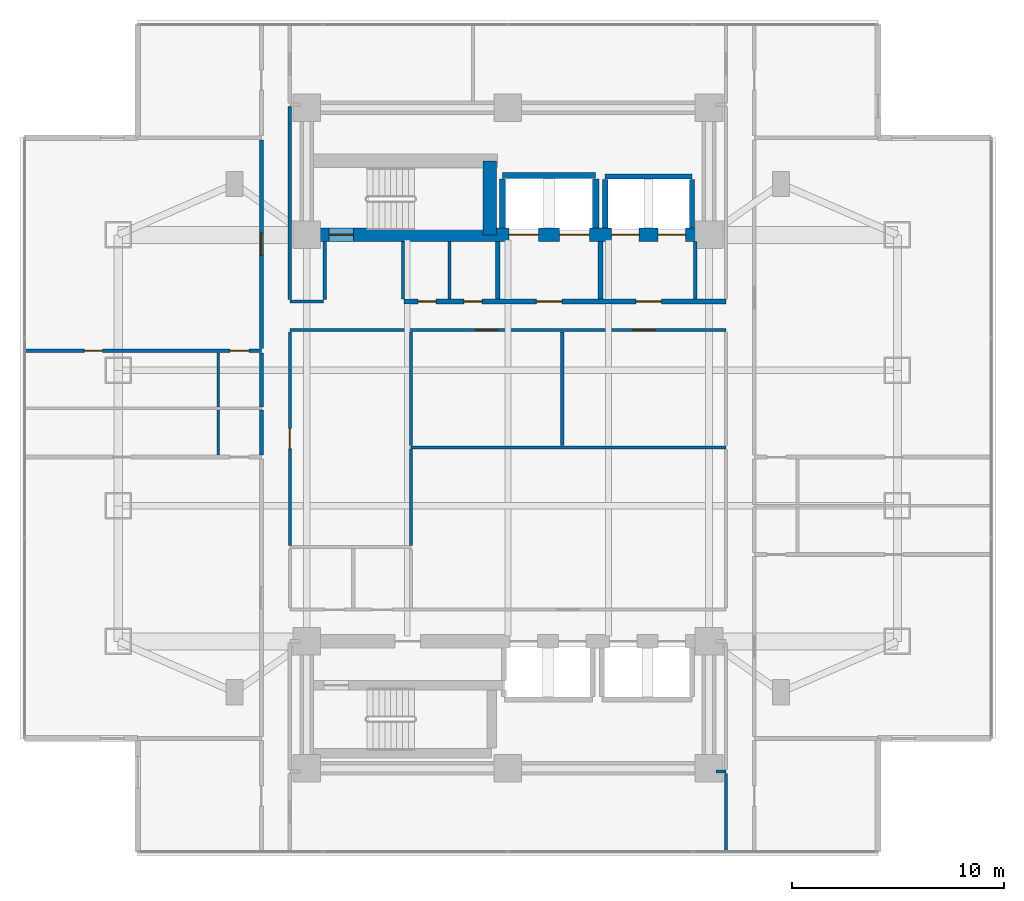
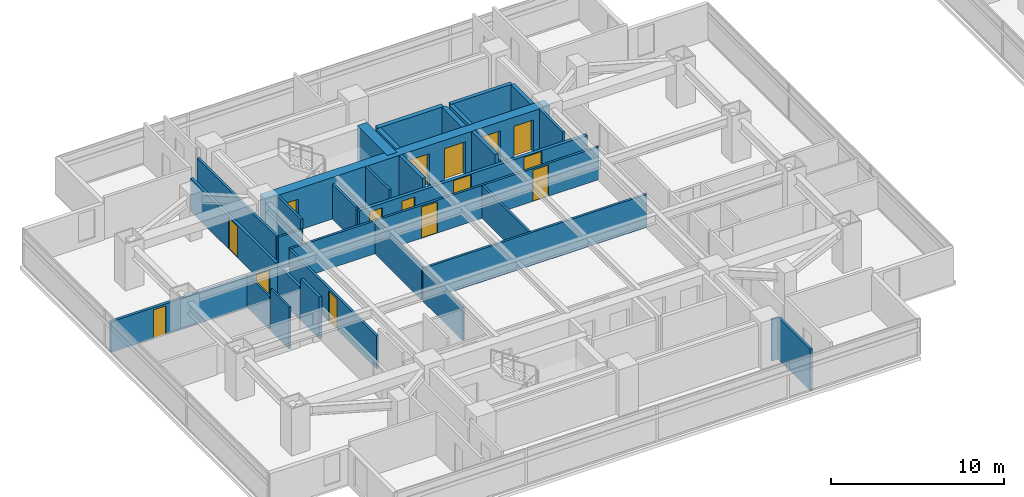
# One storey, part 15 of 26: 31 walls, 15 doors, 15 openings.
"""IFC4 building model written with IfcOpenShell, lengths in metres."""

from ifc_helpers import new_model, si_unit, direction, frame, frame_2d, origin, place, context, subcontext, project, spatial, rectangle, extrude, material, layer, layer_set, type_object, element, fill, save


model = new_model("IFC4")

# Units and contexts
model_context = context("Model", 3, precision=1e-05, world=origin(), true_north=direction((0.0, 1.0)))
body_context = subcontext(model_context, "Body", "Model", "MODEL_VIEW")
ifc_project = project(units=[si_unit("LENGTHUNIT", "METRE"), si_unit("AREAUNIT", "SQUARE_METRE"), si_unit("VOLUMEUNIT", "CUBIC_METRE"), si_unit("PLANEANGLEUNIT", "RADIAN"), si_unit("MASSUNIT", "GRAM", prefix="KILO")], contexts=[model_context])

# Site, building, storey
site_placement = place(None, origin())
site = spatial("IfcSite", under=ifc_project, at=site_placement, CompositionType="ELEMENT")
building_placement = place(site_placement, origin())
building = spatial("IfcBuilding", under=site, at=building_placement, Name="Mirazonda Arch Towers", CompositionType="ELEMENT")
storey_placement = place(building_placement, frame((0.0, 0.0, 78.5)))
storey = spatial("IfcBuildingStorey", under=building, at=storey_placement, Name="L22", CompositionType="ELEMENT", Elevation=78.5)

# Wall, openings, doors
ifc_material_1 = material(Name="Concrete C60/75", Category="concrete")
ifc_layer_1 = layer(ifc_material_1, 0.64990234375, Name="WALL-CORE-650")
ifc_layer_set_1 = layer_set([ifc_layer_1], Name="Concrete C60/75")
wall_type_1 = type_object("IfcWallType", Name="WALL-CORE-650", PredefinedType="SHEAR", material=ifc_layer_set_1)
wall_1_placement = place(storey_placement, frame((11.0, 37.60009765625, 0.0), z_axis=(0.0, 0.0, 1.0), x_axis=(1.0, 0.0, 0.0)))
wall_1 = element("IfcWall", 1, at=wall_1_placement, inside=storey, type_object=wall_type_1, Name="L22 T1N-S Core Shear Wall", PredefinedType="SHEAR", context=body_context, shape_type="SweptSolid", body=[
    extrude(rectangle(XDim=19.0, YDim=0.64990234375, at=frame_2d((9.5, 0.0))), origin(), (0.0, 0.0, 1.0), 2.93994140625),
])
opening_1_placement = place(wall_1_placement, frame((1.06005859375, 0.0, 0.0)))
opening_1 = element("IfcOpeningElement", 2, at=opening_1_placement, cuts=wall_1, Name="Opening DR-135", PredefinedType="OPENING", context=body_context, shape_type="SweptSolid", body=[
    extrude(rectangle(XDim=1.14990234375, YDim=2.199951171875, at=frame_2d((0.574951171875, 1.10009765625))), frame((0.0, 0.3349609375, 0.0), z_axis=(0.0, -1.0, 0.0), x_axis=(1.0, 0.0, 0.0)), (0.0, 0.0, 1.0), 0.669921875),
])
opening_2_placement = place(wall_1_placement, frame((9.550048828125, 0.0, 0.0)))
opening_2 = element("IfcOpeningElement", 3, at=opening_2_placement, cuts=wall_1, Name="Opening LD-112", PredefinedType="OPENING", context=body_context, shape_type="SweptSolid", body=[
    extrude(rectangle(XDim=1.39990234375, YDim=2.35009765625, at=frame_2d((0.699951171875, 1.175048828125))), frame((0.0, 0.3349609375, 0.0), z_axis=(0.0, -1.0, 0.0), x_axis=(1.0, 0.0, 0.0)), (0.0, 0.0, 1.0), 0.669921875),
])
opening_3_placement = place(wall_1_placement, frame((11.949951171875, 0.0, 0.0)))
opening_3 = element("IfcOpeningElement", 4, at=opening_3_placement, cuts=wall_1, Name="Opening LD-112", PredefinedType="OPENING", context=body_context, shape_type="SweptSolid", body=[
    extrude(rectangle(XDim=1.39990234375, YDim=2.35009765625, at=frame_2d((0.699951171875, 1.175048828125))), frame((0.0, 0.3349609375, 0.0), z_axis=(0.0, -1.0, 0.0), x_axis=(1.0, 0.0, 0.0)), (0.0, 0.0, 1.0), 0.669921875),
])
opening_4_placement = place(wall_1_placement, frame((14.39990234375, 0.0, 0.0)))
opening_4 = element("IfcOpeningElement", 5, at=opening_4_placement, cuts=wall_1, Name="Opening LD-111", PredefinedType="OPENING", context=body_context, shape_type="SweptSolid", body=[
    extrude(rectangle(XDim=1.300048828125, YDim=2.300048828125, at=frame_2d((0.64990234375, 1.14990234375))), frame((0.0, 0.3349609375, 0.0), z_axis=(0.0, -1.0, 0.0), x_axis=(1.0, 0.0, 0.0)), (0.0, 0.0, 1.0), 0.669921875),
])
opening_5_placement = place(wall_1_placement, frame((16.60009765625, 0.0, 0.0)))
opening_5 = element("IfcOpeningElement", 6, at=opening_5_placement, cuts=wall_1, Name="Opening LD-111", PredefinedType="OPENING", context=body_context, shape_type="SweptSolid", body=[
    extrude(rectangle(XDim=1.300048828125, YDim=2.300048828125, at=frame_2d((0.64990234375, 1.14990234375))), frame((0.0, 0.3349609375, 0.0), z_axis=(0.0, -1.0, 0.0), x_axis=(1.0, 0.0, 0.0)), (0.0, 0.0, 1.0), 0.669921875),
])
ifc_material_2 = material(Name="Architectural Brushed Steel S355", Category="steel")
door_type_1 = type_object("IfcDoorType", Name="DOOR-LIFT-FFL-1400", OperationType="NOTDEFINED", PredefinedType="DOOR", material=ifc_material_2)
door_1_placement = place(opening_2_placement, origin())
door_1 = element("IfcDoor", 7, at=door_1_placement, inside=storey, type_object=door_type_1, Name="L22 Lift Landing Sliding Door FFL-T1", OperationType="DOUBLE_DOOR_SLIDING", OverallHeight=2.35009765625, OverallWidth=1.39990234375, PredefinedType="DOOR", context=body_context, shape_type="SweptSolid", body=[
    extrude(rectangle(XDim=1.39990234375, YDim=2.35009765625, at=frame_2d((0.699951171875, 1.175048828125))), frame((0.0, 0.02490234375, 0.0), z_axis=(0.0, -1.0, 0.0), x_axis=(1.0, 0.0, 0.0)), (0.0, 0.0, 1.0), 0.050048828125),
])
fill(opening_2, door_1)
door_2_placement = place(opening_3_placement, origin())
door_2 = element("IfcDoor", 8, at=door_2_placement, inside=storey, type_object=door_type_1, Name="L22 Lift Landing Sliding Door SVL-T1", OperationType="DOUBLE_DOOR_SLIDING", OverallHeight=2.35009765625, OverallWidth=1.39990234375, PredefinedType="DOOR", context=body_context, shape_type="SweptSolid", body=[
    extrude(rectangle(XDim=1.39990234375, YDim=2.35009765625, at=frame_2d((0.699951171875, 1.175048828125))), frame((0.0, 0.02490234375, 0.0), z_axis=(0.0, -1.0, 0.0), x_axis=(1.0, 0.0, 0.0)), (0.0, 0.0, 1.0), 0.050048828125),
])
fill(opening_3, door_2)
door_type_2 = type_object("IfcDoorType", Name="DOOR-LIFT-LAND-1300", OperationType="NOTDEFINED", PredefinedType="DOOR", material=ifc_material_2)
door_3_placement = place(opening_4_placement, origin())
door_3 = element("IfcDoor", 9, at=door_3_placement, inside=storey, type_object=door_type_2, Name="L22 Lift Landing Sliding Door PL-T1L1", OperationType="DOUBLE_DOOR_SLIDING", OverallHeight=2.300048828125, OverallWidth=1.300048828125, PredefinedType="DOOR", context=body_context, shape_type="SweptSolid", body=[
    extrude(rectangle(XDim=1.300048828125, YDim=2.300048828125, at=frame_2d((0.64990234375, 1.14990234375))), frame((0.0, 0.02490234375, 0.0), z_axis=(0.0, -1.0, 0.0), x_axis=(1.0, 0.0, 0.0)), (0.0, 0.0, 1.0), 0.050048828125),
])
fill(opening_4, door_3)
door_4_placement = place(opening_5_placement, origin())
door_4 = element("IfcDoor", 10, at=door_4_placement, inside=storey, type_object=door_type_2, Name="L22 Lift Landing Sliding Door PL-T1L2", OperationType="DOUBLE_DOOR_SLIDING", OverallHeight=2.300048828125, OverallWidth=1.300048828125, PredefinedType="DOOR", context=body_context, shape_type="SweptSolid", body=[
    extrude(rectangle(XDim=1.300048828125, YDim=2.300048828125, at=frame_2d((0.64990234375, 1.14990234375))), frame((0.0, 0.02490234375, 0.0), z_axis=(0.0, -1.0, 0.0), x_axis=(1.0, 0.0, 0.0)), (0.0, 0.0, 1.0), 0.050048828125),
])
fill(opening_5, door_4)
door_type_3 = type_object("IfcDoorType", Name="DOOR-STAIR-FD90-1150", OperationType="NOTDEFINED", PredefinedType="DOOR", material=ifc_material_2)
door_5_placement = place(opening_1_placement, origin())
door_5 = element("IfcDoor", 11, at=door_5_placement, inside=storey, type_object=door_type_3, Name="L22 Protected Exit Stair North Door", OperationType="SINGLE_SWING_LEFT", OverallHeight=2.199951171875, OverallWidth=1.14990234375, PredefinedType="DOOR", context=body_context, shape_type="SweptSolid", body=[
    extrude(rectangle(XDim=1.14990234375, YDim=2.199951171875, at=frame_2d((0.574951171875, 1.10009765625))), frame((0.0, 0.02490234375, 0.0), z_axis=(0.0, -1.0, 0.0), x_axis=(1.0, 0.0, 0.0)), (0.0, 0.0, 1.0), 0.050048828125),
])
fill(opening_1, door_5)

# Wall
wall_2_placement = place(storey_placement, frame((19.64990234375, 37.60009765625, 0.0), z_axis=(0.0, 0.0, 1.0), x_axis=(0.0, 1.0, 0.0)))
element("IfcWall", 12, at=wall_2_placement, inside=storey, type_object=wall_type_1, Name="L22 T1N-STE Core Shear Wall", PredefinedType="SHEAR", context=body_context, shape_type="SweptSolid", body=[
    extrude(rectangle(XDim=3.492919921875, YDim=0.64990234375, at=frame_2d((1.74658203125, 0.0))), origin(), (0.0, 0.0, 1.0), 2.93994140625),
])

# Wall, openings, doors
ifc_material_3 = material(Name="Concrete C40/50", Category="concrete")
ifc_layer_2 = layer(ifc_material_3, 0.219970703125, Name="WALL-FFL-220")
ifc_layer_set_2 = layer_set([ifc_layer_2], Name="Concrete C40/50")
wall_type_2 = type_object("IfcWallType", Name="WALL-FFL-220", PredefinedType="SOLIDWALL", material=ifc_layer_set_2)
wall_3_placement = place(storey_placement, frame((15.590087890625, 34.449951171875, 0.0), z_axis=(0.0, 0.0, 1.0), x_axis=(1.0, 0.0, 0.0)))
wall_3 = element("IfcWall", 13, at=wall_3_placement, inside=storey, type_object=wall_type_2, Name="L22 Interior Partition 041", PredefinedType="SOLIDWALL", context=body_context, shape_type="SweptSolid", body=[
    extrude(rectangle(XDim=15.2099609375, YDim=0.219970703125, at=frame_2d((7.60498046875, 0.0))), origin(), (0.0, 0.0, 1.0), 2.31591796875),
])
opening_6_placement = place(wall_3_placement, frame((6.260009765625, 0.0, 0.0)))
opening_6 = element("IfcOpeningElement", 14, at=opening_6_placement, cuts=wall_3, Name="Opening DR-117", PredefinedType="OPENING", context=body_context, shape_type="SweptSolid", body=[
    extrude(rectangle(XDim=1.199951171875, YDim=2.25, at=frame_2d((0.60009765625, 1.125))), frame((0.0, 0.119873046875, 0.0), z_axis=(0.0, -1.0, 0.0), x_axis=(1.0, 0.0, 0.0)), (0.0, 0.0, 1.0), 0.239990234375),
])
opening_7_placement = place(wall_3_placement, frame((10.9599609375, 0.0, 0.0)))
opening_7 = element("IfcOpeningElement", 15, at=opening_7_placement, cuts=wall_3, Name="Opening DR-117", PredefinedType="OPENING", context=body_context, shape_type="SweptSolid", body=[
    extrude(rectangle(XDim=1.199951171875, YDim=2.25, at=frame_2d((0.60009765625, 1.125))), frame((0.0, 0.119873046875, 0.0), z_axis=(0.0, -1.0, 0.0), x_axis=(1.0, 0.0, 0.0)), (0.0, 0.0, 1.0), 0.239990234375),
])
opening_8_placement = place(wall_3_placement, frame((0.675048828125, 0.0, 0.0)))
opening_8 = element("IfcOpeningElement", 16, at=opening_8_placement, cuts=wall_3, Name="Opening DR-128", PredefinedType="OPENING", context=body_context, shape_type="SweptSolid", body=[
    extrude(rectangle(XDim=0.85009765625, YDim=2.010009765625, at=frame_2d((0.425048828125, 1.0048828125))), frame((0.0, 0.119873046875, 0.0), z_axis=(0.0, -1.0, 0.0), x_axis=(1.0, 0.0, 0.0)), (0.0, 0.0, 1.0), 0.239990234375),
])
opening_9_placement = place(wall_3_placement, frame((2.8349609375, 0.0, 0.0)))
opening_9 = element("IfcOpeningElement", 17, at=opening_9_placement, cuts=wall_3, Name="Opening DR-128", PredefinedType="OPENING", context=body_context, shape_type="SweptSolid", body=[
    extrude(rectangle(XDim=0.85009765625, YDim=2.010009765625, at=frame_2d((0.425048828125, 1.0048828125))), frame((0.0, 0.119873046875, 0.0), z_axis=(0.0, -1.0, 0.0), x_axis=(1.0, 0.0, 0.0)), (0.0, 0.0, 1.0), 0.239990234375),
])
door_type_4 = type_object("IfcDoorType", Name="DOOR-FFL-FD90-1200", OperationType="NOTDEFINED", PredefinedType="DOOR", material=ifc_material_2)
door_6_placement = place(opening_6_placement, origin())
door_6 = element("IfcDoor", 18, at=door_6_placement, inside=storey, type_object=door_type_4, Name="L22 Firefighting Lift Lobby Door", OperationType="SINGLE_SWING_RIGHT", OverallHeight=2.25, OverallWidth=1.199951171875, PredefinedType="DOOR", context=body_context, shape_type="SweptSolid", body=[
    extrude(rectangle(XDim=1.199951171875, YDim=2.25, at=frame_2d((0.60009765625, 1.125))), frame((0.0, 0.02490234375, 0.0), z_axis=(0.0, -1.0, 0.0), x_axis=(1.0, 0.0, 0.0)), (0.0, 0.0, 1.0), 0.050048828125),
])
fill(opening_6, door_6)
door_7_placement = place(opening_7_placement, origin())
door_7 = element("IfcDoor", 19, at=door_7_placement, inside=storey, type_object=door_type_4, Name="L22 Passenger Lift Lobby North Door", OperationType="SINGLE_SWING_LEFT", OverallHeight=2.25, OverallWidth=1.199951171875, PredefinedType="DOOR", context=body_context, shape_type="SweptSolid", body=[
    extrude(rectangle(XDim=1.199951171875, YDim=2.25, at=frame_2d((0.60009765625, 1.125))), frame((0.0, 0.02490234375, 0.0), z_axis=(0.0, -1.0, 0.0), x_axis=(1.0, 0.0, 0.0)), (0.0, 0.0, 1.0), 0.050048828125),
])
fill(opening_7, door_7)
door_type_5 = type_object("IfcDoorType", Name="DOOR-RISER-FD60-850", OperationType="NOTDEFINED", PredefinedType="DOOR", material=ifc_material_2)
door_8_placement = place(opening_8_placement, origin())
door_8 = element("IfcDoor", 20, at=door_8_placement, inside=storey, type_object=door_type_5, Name="L22 Electrical Room Door", OperationType="SINGLE_SWING_RIGHT", OverallHeight=2.010009765625, OverallWidth=0.85009765625, PredefinedType="DOOR", context=body_context, shape_type="SweptSolid", body=[
    extrude(rectangle(XDim=0.85009765625, YDim=2.010009765625, at=frame_2d((0.425048828125, 1.0048828125))), frame((0.0, 0.02490234375, 0.0), z_axis=(0.0, -1.0, 0.0), x_axis=(1.0, 0.0, 0.0)), (0.0, 0.0, 1.0), 0.050048828125),
])
fill(opening_8, door_8)
door_9_placement = place(opening_9_placement, origin())
door_9 = element("IfcDoor", 21, at=door_9_placement, inside=storey, type_object=door_type_5, Name="L22 Cleaners & Housekeeping Store Door", OperationType="SINGLE_SWING_LEFT", OverallHeight=2.010009765625, OverallWidth=0.85009765625, PredefinedType="DOOR", context=body_context, shape_type="SweptSolid", body=[
    extrude(rectangle(XDim=0.85009765625, YDim=2.010009765625, at=frame_2d((0.425048828125, 1.0048828125))), frame((0.0, 0.02490234375, 0.0), z_axis=(0.0, -1.0, 0.0), x_axis=(1.0, 0.0, 0.0)), (0.0, 0.0, 1.0), 0.050048828125),
])
fill(opening_9, door_9)

# Walls
for number, where, z_axis, x_axis, name in (
    (22, (20.02490234375, 34.570068359375, 0.0), (0.0, 0.0, 1.0), (0.0, 1.0, 0.0), "L22 Interior Partition 080"),
    (23, (24.875, 34.570068359375, 0.0), (0.0, 0.0, 1.0), (0.0, 1.0, 0.0), "L22 Interior Partition 088"),
):
    element("IfcWall", number, at=place(storey_placement, frame(where, z_axis=z_axis, x_axis=x_axis)), inside=storey, type_object=wall_type_2, Name=name, PredefinedType="SOLIDWALL", context=body_context, shape_type="SweptSolid", body=[
        extrude(rectangle(XDim=2.7099609375, YDim=0.219970703125, at=frame_2d((1.35498046875, 0.0))), origin(), (0.0, 0.0, 1.0), 2.93994140625),
    ])
ifc_material_4 = material(Name="Fire-Rated Gypsum Stud Partition")
ifc_layer_3 = layer(ifc_material_4, 0.14990234375, Name="WALL-PART-CORR-150")
ifc_layer_set_3 = layer_set([ifc_layer_3], Name="Fire-Rated Gypsum Stud Partition")
wall_type_3 = type_object("IfcWallType", Name="WALL-PART-CORR-150", PredefinedType="PARTITIONING", material=ifc_layer_set_3)
wall_4_placement = place(storey_placement, frame((30.320068359375, 12.25, 0.0), z_axis=(0.0, 0.0, 1.0), x_axis=(1.0, 0.0, 0.0)))
element("IfcWall", 24, at=wall_4_placement, inside=storey, type_object=wall_type_3, Name="L22 Interior Partition 002", PredefinedType="PARTITIONING", context=body_context, shape_type="SweptSolid", body=[
    extrude(rectangle(XDim=0.47998046875, YDim=0.14990234375, at=frame_2d((0.239990234375, 0.0))), origin(), (0.0, 0.0, 1.0), 2.93994140625),
])
wall_5_placement = place(storey_placement, frame((15.929931640625, 27.555908203125, 0.0), z_axis=(0.0, 0.0, 1.0), x_axis=(1.0, 0.0, 0.0)))
element("IfcWall", 25, at=wall_5_placement, inside=storey, type_object=wall_type_3, Name="L22 Interior Partition 030", PredefinedType="PARTITIONING", context=body_context, shape_type="SweptSolid", body=[
    extrude(rectangle(XDim=14.8701171875, YDim=0.14990234375, at=frame_2d((7.43505859375, 0.0))), origin(), (0.0, 0.0, 1.0), 2.31591796875),
])

# Wall, openings, doors
wall_6_placement = place(storey_placement, frame((10.199951171875, 33.10009765625, 0.0), z_axis=(0.0, 0.0, 1.0), x_axis=(1.0, 0.0, 0.0)))
wall_6 = element("IfcWall", 26, at=wall_6_placement, inside=storey, type_object=wall_type_3, Name="L22 Interior Partition 039", PredefinedType="PARTITIONING", context=body_context, shape_type="SweptSolid", body=[
    extrude(rectangle(XDim=20.60009765625, YDim=0.14990234375, at=frame_2d((10.300048828125, 0.0))), origin(), (0.0, 0.0, 1.0), 2.31591796875),
])
opening_10_placement = place(wall_6_placement, frame((8.77392578125, 0.0, 0.0)))
opening_10 = element("IfcOpeningElement", 27, at=opening_10_placement, cuts=wall_6, Name="Opening DR-121", PredefinedType="OPENING", context=body_context, shape_type="SweptSolid", body=[
    extrude(rectangle(XDim=1.050048828125, YDim=2.199951171875, at=frame_2d((0.52490234375, 1.10009765625))), frame((0.0, 0.0849609375, 0.0), z_axis=(0.0, -1.0, 0.0), x_axis=(1.0, 0.0, 0.0)), (0.0, 0.0, 1.0), 0.169921875),
])
opening_11_placement = place(wall_6_placement, frame((16.18896484375, 0.0, 0.0)))
opening_11 = element("IfcOpeningElement", 28, at=opening_11_placement, cuts=wall_6, Name="Opening DR-121", PredefinedType="OPENING", context=body_context, shape_type="SweptSolid", body=[
    extrude(rectangle(XDim=1.050048828125, YDim=2.199951171875, at=frame_2d((0.52490234375, 1.10009765625))), frame((0.0, 0.0849609375, 0.0), z_axis=(0.0, -1.0, 0.0), x_axis=(1.0, 0.0, 0.0)), (0.0, 0.0, 1.0), 0.169921875),
])
door_type_6 = type_object("IfcDoorType", Name="DOOR-SUITE-FD60-1050", OperationType="NOTDEFINED", PredefinedType="DOOR", material=ifc_material_2)
door_10_placement = place(opening_10_placement, origin())
door_10 = element("IfcDoor", 29, at=door_10_placement, inside=storey, type_object=door_type_6, Name="L22 Business Reading Study Door", OperationType="SINGLE_SWING_RIGHT", OverallHeight=2.199951171875, OverallWidth=1.050048828125, PredefinedType="DOOR", context=body_context, shape_type="SweptSolid", body=[
    extrude(rectangle(XDim=1.050048828125, YDim=2.199951171875, at=frame_2d((0.52490234375, 1.10009765625))), frame((0.0, 0.02490234375, 0.0), z_axis=(0.0, -1.0, 0.0), x_axis=(1.0, 0.0, 0.0)), (0.0, 0.0, 1.0), 0.050048828125),
])
fill(opening_10, door_10)
door_11_placement = place(opening_11_placement, origin())
door_11 = element("IfcDoor", 30, at=door_11_placement, inside=storey, type_object=door_type_6, Name="L22 Private Meeting Suite Door", OperationType="SINGLE_SWING_LEFT", OverallHeight=2.199951171875, OverallWidth=1.050048828125, PredefinedType="DOOR", context=body_context, shape_type="SweptSolid", body=[
    extrude(rectangle(XDim=1.050048828125, YDim=2.199951171875, at=frame_2d((0.52490234375, 1.10009765625))), frame((0.0, 0.02490234375, 0.0), z_axis=(0.0, -1.0, 0.0), x_axis=(1.0, 0.0, 0.0)), (0.0, 0.0, 1.0), 0.050048828125),
])
fill(opening_11, door_11)

# Wall
wall_7_placement = place(storey_placement, frame((10.199951171875, 34.449951171875, 0.0), z_axis=(0.0, 0.0, 1.0), x_axis=(1.0, 0.0, 0.0)))
element("IfcWall", 31, at=wall_7_placement, inside=storey, type_object=wall_type_3, Name="L22 Interior Partition 040", PredefinedType="PARTITIONING", context=body_context, shape_type="SweptSolid", body=[
    extrude(rectangle(XDim=1.60009765625, YDim=0.14990234375, at=frame_2d((0.800048828125, 0.0))), origin(), (0.0, 0.0, 1.0), 2.31591796875),
])

# Wall, opening, door
wall_8_placement = place(storey_placement, frame((10.206787109375, 22.93505859375, 0.0), z_axis=(0.0, 0.0, 1.0), x_axis=(0.0, 1.0, 0.0)))
wall_8 = element("IfcWall", 32, at=wall_8_placement, inside=storey, type_object=wall_type_3, Name="L22 Interior Partition 068", PredefinedType="PARTITIONING", context=body_context, shape_type="SweptSolid", body=[
    extrude(rectangle(XDim=10.079833984375, YDim=0.14990234375, at=frame_2d((5.0400390625, 0.0))), origin(), (0.0, 0.0, 1.0), 2.31591796875),
])
opening_12_placement = place(wall_8_placement, frame((4.56494140625, 0.0, 0.0)))
opening_12 = element("IfcOpeningElement", 33, at=opening_12_placement, cuts=wall_8, Name="Opening DR-104", PredefinedType="OPENING", context=body_context, shape_type="SweptSolid", body=[
    extrude(rectangle(XDim=0.949951171875, YDim=2.14990234375, at=frame_2d((0.47509765625, 1.074951171875))), frame((0.0, 0.0849609375, 0.0), z_axis=(0.0, -1.0, 0.0), x_axis=(1.0, 0.0, 0.0)), (0.0, 0.0, 1.0), 0.169921875),
])
door_type_7 = type_object("IfcDoorType", Name="DOOR-ROOM-950", OperationType="NOTDEFINED", PredefinedType="DOOR", material=ifc_material_2)
door_12_placement = place(opening_12_placement, origin())
door_12 = element("IfcDoor", 34, at=door_12_placement, inside=storey, type_object=door_type_7, Name="L22 L22 West Courtyard Salon Door", OperationType="SINGLE_SWING_RIGHT", OverallHeight=2.14990234375, OverallWidth=0.949951171875, PredefinedType="DOOR", context=body_context, shape_type="SweptSolid", body=[
    extrude(rectangle(XDim=0.949951171875, YDim=2.14990234375, at=frame_2d((0.47509765625, 1.074951171875))), frame((0.0, 0.02490234375, 0.0), z_axis=(0.0, -1.0, 0.0), x_axis=(1.0, 0.0, 0.0)), (0.0, 0.0, 1.0), 0.050048828125),
])
fill(opening_12, door_12)

# Walls
wall_9_placement = place(storey_placement, frame((10.199951171875, 34.534912109375, 0.0), z_axis=(0.0, 0.0, 1.0), x_axis=(0.0, 1.0, 0.0)))
element("IfcWall", 35, at=wall_9_placement, inside=storey, type_object=wall_type_3, Name="L22 Interior Partition 069", PredefinedType="PARTITIONING", context=body_context, shape_type="SweptSolid", body=[
    extrude(rectangle(XDim=9.130126953125, YDim=0.14990234375, at=frame_2d((4.56494140625, 0.0))), origin(), (0.0, 0.0, 1.0), 2.31591796875),
])
wall_10_placement = place(storey_placement, frame((11.85009765625, 34.534912109375, 0.0), z_axis=(0.0, 0.0, 1.0), x_axis=(0.0, 1.0, 0.0)))
element("IfcWall", 36, at=wall_10_placement, inside=storey, type_object=wall_type_3, Name="L22 Interior Partition 071", PredefinedType="PARTITIONING", context=body_context, shape_type="SweptSolid", body=[
    extrude(rectangle(XDim=2.7451171875, YDim=0.14990234375, at=frame_2d((1.37255859375, 0.0))), origin(), (0.0, 0.0, 1.0), 2.93994140625),
])
wall_11_placement = place(storey_placement, frame((15.550048828125, 34.570068359375, 0.0), z_axis=(0.0, 0.0, 1.0), x_axis=(0.0, 1.0, 0.0)))
element("IfcWall", 37, at=wall_11_placement, inside=storey, type_object=wall_type_3, Name="L22 Interior Partition 073", PredefinedType="PARTITIONING", context=body_context, shape_type="SweptSolid", body=[
    extrude(rectangle(XDim=2.7099609375, YDim=0.14990234375, at=frame_2d((1.35498046875, 0.0))), origin(), (0.0, 0.0, 1.0), 2.468994140625),
])
wall_12_placement = place(storey_placement, frame((15.929931640625, 22.93505859375, 0.0), z_axis=(0.0, 0.0, 1.0), x_axis=(0.0, 1.0, 0.0)))
element("IfcWall", 38, at=wall_12_placement, inside=storey, type_object=wall_type_3, Name="L22 Interior Partition 075", PredefinedType="PARTITIONING", context=body_context, shape_type="SweptSolid", body=[
    extrude(rectangle(XDim=4.535888671875, YDim=0.14990234375, at=frame_2d((2.26806640625, 0.0))), origin(), (0.0, 0.0, 1.0), 2.31591796875),
])
wall_13_placement = place(storey_placement, frame((15.929931640625, 27.64111328125, 0.0), z_axis=(0.0, 0.0, 1.0), x_axis=(0.0, 1.0, 0.0)))
element("IfcWall", 39, at=wall_13_placement, inside=storey, type_object=wall_type_3, Name="L22 Interior Partition 076", PredefinedType="PARTITIONING", context=body_context, shape_type="SweptSolid", body=[
    extrude(rectangle(XDim=5.373779296875, YDim=0.14990234375, at=frame_2d((2.68701171875, 0.0))), origin(), (0.0, 0.0, 1.0), 2.31591796875),
])
wall_14_placement = place(storey_placement, frame((17.75, 34.570068359375, 0.0), z_axis=(0.0, 0.0, 1.0), x_axis=(0.0, 1.0, 0.0)))
element("IfcWall", 40, at=wall_14_placement, inside=storey, type_object=wall_type_3, Name="L22 Interior Partition 077", PredefinedType="PARTITIONING", context=body_context, shape_type="SweptSolid", body=[
    extrude(rectangle(XDim=2.7099609375, YDim=0.14990234375, at=frame_2d((1.35498046875, 0.0))), origin(), (0.0, 0.0, 1.0), 2.93994140625),
])
wall_15_placement = place(storey_placement, frame((23.068115234375, 27.64111328125, 0.0), z_axis=(0.0, 0.0, 1.0), x_axis=(0.0, 1.0, 0.0)))
element("IfcWall", 41, at=wall_15_placement, inside=storey, type_object=wall_type_3, Name="L22 Interior Partition 084", PredefinedType="PARTITIONING", context=body_context, shape_type="SweptSolid", body=[
    extrude(rectangle(XDim=5.373779296875, YDim=0.14990234375, at=frame_2d((2.68701171875, 0.0))), origin(), (0.0, 0.0, 1.0), 2.31591796875),
])
wall_16_placement = place(storey_placement, frame((29.35009765625, 34.570068359375, 0.0), z_axis=(0.0, 0.0, 1.0), x_axis=(0.0, 1.0, 0.0)))
element("IfcWall", 42, at=wall_16_placement, inside=storey, type_object=wall_type_3, Name="L22 Interior Partition 091", PredefinedType="PARTITIONING", context=body_context, shape_type="SweptSolid", body=[
    extrude(rectangle(XDim=2.7099609375, YDim=0.14990234375, at=frame_2d((1.35498046875, 0.0))), origin(), (0.0, 0.0, 1.0), 2.93994140625),
])
wall_17_placement = place(storey_placement, frame((30.800048828125, 8.47607421875, 0.0), z_axis=(0.0, 0.0, 1.0), x_axis=(0.0, 1.0, 0.0)))
element("IfcWall", 43, at=wall_17_placement, inside=storey, type_object=wall_type_3, Name="L22 Interior Partition 093", PredefinedType="PARTITIONING", context=body_context, shape_type="SweptSolid", body=[
    extrude(rectangle(XDim=3.68896484375, YDim=0.14990234375, at=frame_2d((1.844482421875, 0.0))), origin(), (0.0, 0.0, 1.0), 2.93994140625),
])

# Wall, openings, doors
ifc_material_5 = material(Name="Fire-Rated Gypsum Twin-Stud Assembly")
ifc_layer_4 = layer(ifc_material_5, 0.179931640625, Name="WALL-PART-DEMISE-180")
ifc_layer_set_4 = layer_set([ifc_layer_4], Name="Fire-Rated Gypsum Twin-Stud Assembly")
wall_type_4 = type_object("IfcWallType", Name="WALL-PART-DEMISE-180", PredefinedType="PARTITIONING", material=ifc_layer_set_4)
wall_18_placement = place(storey_placement, frame((-2.320068359375, 32.125, 0.0), z_axis=(0.0, 0.0, 1.0), x_axis=(1.0, 0.0, 0.0)))
wall_18 = element("IfcWall", 44, at=wall_18_placement, inside=storey, type_object=wall_type_4, Name="L22 Interior Partition 036", PredefinedType="PARTITIONING", context=body_context, shape_type="SweptSolid", body=[
    extrude(rectangle(XDim=11.18017578125, YDim=0.179931640625, at=frame_2d((5.590087890625, 0.0))), origin(), (0.0, 0.0, 1.0), 2.158935546875),
])
opening_13_placement = place(wall_18_placement, frame((2.81494140625, 0.0, 0.0)))
opening_13 = element("IfcOpeningElement", 45, at=opening_13_placement, cuts=wall_18, Name="Opening DR-128", PredefinedType="OPENING", context=body_context, shape_type="SweptSolid", body=[
    extrude(rectangle(XDim=0.85009765625, YDim=2.010009765625, at=frame_2d((0.425048828125, 1.0048828125))), frame((0.0, 0.099853515625, 0.0), z_axis=(0.0, -1.0, 0.0), x_axis=(1.0, 0.0, 0.0)), (0.0, 0.0, 1.0), 0.199951171875),
])
opening_14_placement = place(wall_18_placement, frame((9.68994140625, 0.0, 0.0)))
opening_14 = element("IfcOpeningElement", 46, at=opening_14_placement, cuts=wall_18, Name="Opening DR-120", PredefinedType="OPENING", context=body_context, shape_type="SweptSolid", body=[
    extrude(rectangle(XDim=0.89990234375, YDim=2.10009765625, at=frame_2d((0.449951171875, 1.050048828125))), frame((0.0, 0.099853515625, 0.0), z_axis=(0.0, -1.0, 0.0), x_axis=(1.0, 0.0, 0.0)), (0.0, 0.0, 1.0), 0.199951171875),
])
door_13_placement = place(opening_13_placement, origin())
door_13 = element("IfcDoor", 47, at=door_13_placement, inside=storey, type_object=door_type_5, Name="L22 Suite Bedroom 2 Door", OperationType="SINGLE_SWING_LEFT", OverallHeight=2.010009765625, OverallWidth=0.85009765625, PredefinedType="DOOR", context=body_context, shape_type="SweptSolid", body=[
    extrude(rectangle(XDim=0.85009765625, YDim=2.010009765625, at=frame_2d((0.425048828125, 1.0048828125))), frame((0.0, 0.02490234375, 0.0), z_axis=(0.0, -1.0, 0.0), x_axis=(1.0, 0.0, 0.0)), (0.0, 0.0, 1.0), 0.050048828125),
])
fill(opening_13, door_13)
door_type_8 = type_object("IfcDoorType", Name="DOOR-WC-900", OperationType="NOTDEFINED", PredefinedType="DOOR", material=ifc_material_2)
door_14_placement = place(opening_14_placement, origin())
door_14 = element("IfcDoor", 48, at=door_14_placement, inside=storey, type_object=door_type_8, Name="L22 Suite En-Suite Bathroom 2 Door", OperationType="SINGLE_SWING_RIGHT", OverallHeight=2.10009765625, OverallWidth=0.89990234375, PredefinedType="DOOR", context=body_context, shape_type="SweptSolid", body=[
    extrude(rectangle(XDim=0.89990234375, YDim=2.10009765625, at=frame_2d((0.449951171875, 1.050048828125))), frame((0.0, 0.02490234375, 0.0), z_axis=(0.0, -1.0, 0.0), x_axis=(1.0, 0.0, 0.0)), (0.0, 0.0, 1.0), 0.050048828125),
])
fill(opening_14, door_14)

# Walls
wall_19_placement = place(storey_placement, frame((8.860107421875, 27.205078125, 0.0), z_axis=(0.0, 0.0, 1.0), x_axis=(0.0, 1.0, 0.0)))
element("IfcWall", 49, at=wall_19_placement, inside=storey, type_object=wall_type_4, Name="L22 Interior Partition 061", PredefinedType="PARTITIONING", context=body_context, shape_type="SweptSolid", body=[
    extrude(rectangle(XDim=2.12744140625, YDim=0.179931640625, at=frame_2d((1.063720703125, 0.0))), origin(), (0.0, 0.0, 1.0), 2.93994140625),
])
wall_20_placement = place(storey_placement, frame((8.860107421875, 29.4775390625, 0.0), z_axis=(0.0, 0.0, 1.0), x_axis=(0.0, 1.0, 0.0)))
element("IfcWall", 50, at=wall_20_placement, inside=storey, type_object=wall_type_4, Name="L22 Interior Partition 062", PredefinedType="PARTITIONING", context=body_context, shape_type="SweptSolid", body=[
    extrude(rectangle(XDim=2.54736328125, YDim=0.179931640625, at=frame_2d((1.273681640625, 0.0))), origin(), (0.0, 0.0, 1.0), 2.31591796875),
])

# Wall, opening, door
wall_21_placement = place(storey_placement, frame((8.860107421875, 32.22509765625, 0.0), z_axis=(0.0, 0.0, 1.0), x_axis=(0.0, 1.0, 0.0)))
wall_21 = element("IfcWall", 51, at=wall_21_placement, inside=storey, type_object=wall_type_4, Name="L22 Interior Partition 063", PredefinedType="PARTITIONING", context=body_context, shape_type="SweptSolid", body=[
    extrude(rectangle(XDim=9.85888671875, YDim=0.179931640625, at=frame_2d((4.929443359375, 0.0))), origin(), (0.0, 0.0, 1.0), 2.31591796875),
])
opening_15_placement = place(wall_21_placement, frame((4.404541015625, 0.0, 0.0)))
opening_15 = element("IfcOpeningElement", 52, at=opening_15_placement, cuts=wall_21, Name="Opening DR-121", PredefinedType="OPENING", context=body_context, shape_type="SweptSolid", body=[
    extrude(rectangle(XDim=1.050048828125, YDim=2.199951171875, at=frame_2d((0.52490234375, 1.10009765625))), frame((0.0, 0.099853515625, 0.0), z_axis=(0.0, -1.0, 0.0), x_axis=(1.0, 0.0, 0.0)), (0.0, 0.0, 1.0), 0.199951171875),
])
door_15_placement = place(opening_15_placement, origin())
door_15 = element("IfcDoor", 53, at=door_15_placement, inside=storey, type_object=door_type_6, Name="L22 Presidential Hotel Suite 2 Door", OperationType="SINGLE_SWING_RIGHT", OverallHeight=2.199951171875, OverallWidth=1.050048828125, PredefinedType="DOOR", context=body_context, shape_type="SweptSolid", body=[
    extrude(rectangle(XDim=1.050048828125, YDim=2.199951171875, at=frame_2d((0.52490234375, 1.10009765625))), frame((0.0, 0.02490234375, 0.0), z_axis=(0.0, -1.0, 0.0), x_axis=(1.0, 0.0, 0.0)), (0.0, 0.0, 1.0), 0.050048828125),
])
fill(opening_15, door_15)

# Walls
ifc_material_6 = material(Name="Acoustic Fire-Rated Gypsum Partition")
ifc_layer_5 = layer(ifc_material_6, 0.125, Name="WALL-PART-UNIT-125")
ifc_layer_set_5 = layer_set([ifc_layer_5], Name="Acoustic Fire-Rated Gypsum Partition")
wall_type_5 = type_object("IfcWallType", Name="WALL-PART-UNIT-125", PredefinedType="PARTITIONING", material=ifc_layer_set_5)
wall_22_placement = place(storey_placement, frame((6.820068359375, 27.205078125, 0.0), z_axis=(0.0, 0.0, 1.0), x_axis=(0.0, 1.0, 0.0)))
element("IfcWall", 54, at=wall_22_placement, inside=storey, type_object=wall_type_5, Name="L22 Interior Partition 057", PredefinedType="PARTITIONING", context=body_context, shape_type="SweptSolid", body=[
    extrude(rectangle(XDim=2.12744140625, YDim=0.125, at=frame_2d((1.063720703125, 0.0))), origin(), (0.0, 0.0, 1.0), 2.93994140625),
])
wall_23_placement = place(storey_placement, frame((6.820068359375, 29.4775390625, 0.0), z_axis=(0.0, 0.0, 1.0), x_axis=(0.0, 1.0, 0.0)))
element("IfcWall", 55, at=wall_23_placement, inside=storey, type_object=wall_type_5, Name="L22 Interior Partition 058", PredefinedType="PARTITIONING", context=body_context, shape_type="SweptSolid", body=[
    extrude(rectangle(XDim=2.54736328125, YDim=0.125, at=frame_2d((1.273681640625, 0.0))), origin(), (0.0, 0.0, 1.0), 2.31591796875),
])
ifc_layer_6 = layer(ifc_material_3, 0.25, Name="WALL-SHAFT-250")
ifc_layer_set_6 = layer_set([ifc_layer_6], Name="Concrete C40/50")
wall_type_6 = type_object("IfcWallType", Name="WALL-SHAFT-250", PredefinedType="SOLIDWALL", material=ifc_layer_set_6)
wall_24_placement = place(storey_placement, frame((25.10009765625, 40.35009765625, 0.0), z_axis=(0.0, 0.0, 1.0), x_axis=(1.0, 0.0, 0.0)))
element("IfcWall", 56, at=wall_24_placement, inside=storey, type_object=wall_type_6, Name="L22 Interior Partition 051", PredefinedType="SOLIDWALL", context=body_context, shape_type="SweptSolid", body=[
    extrude(rectangle(XDim=4.099853515625, YDim=0.25, at=frame_2d((2.0498046875, 0.0))), origin(), (0.0, 0.0, 1.0), 2.93994140625),
])
for number, where, z_axis, x_axis, name in (
    (57, (25.10009765625, 37.919921875, 0.0), (0.0, 0.0, 1.0), (0.0, 1.0, 0.0), "L22 Interior Partition 089"),
    (58, (29.199951171875, 37.919921875, 0.0), (0.0, 0.0, 1.0), (0.0, 1.0, 0.0), "L22 Interior Partition 092"),
):
    element("IfcWall", number, at=place(storey_placement, frame(where, z_axis=z_axis, x_axis=x_axis)), inside=storey, type_object=wall_type_6, Name=name, PredefinedType="SOLIDWALL", context=body_context, shape_type="SweptSolid", body=[
        extrude(rectangle(XDim=2.295166015625, YDim=0.25, at=frame_2d((1.1474609375, 0.0))), origin(), (0.0, 0.0, 1.0), 2.93994140625),
    ])
ifc_material_7 = material(Name="Concrete C50/60", Category="concrete")
ifc_layer_7 = layer(ifc_material_7, 0.300048828125, Name="WALL-SHAFT-300")
ifc_layer_set_7 = layer_set([ifc_layer_7], Name="Concrete C50/60")
wall_type_7 = type_object("IfcWallType", Name="WALL-SHAFT-300", PredefinedType="SOLIDWALL", material=ifc_layer_set_7)
wall_25_placement = place(storey_placement, frame((20.25, 40.39990234375, 0.0), z_axis=(0.0, 0.0, 1.0), x_axis=(1.0, 0.0, 0.0)))
element("IfcWall", 59, at=wall_25_placement, inside=storey, type_object=wall_type_7, Name="L22 Interior Partition 052", PredefinedType="SOLIDWALL", context=body_context, shape_type="SweptSolid", body=[
    extrude(rectangle(XDim=4.39990234375, YDim=0.300048828125, at=frame_2d((2.199951171875, 0.0))), origin(), (0.0, 0.0, 1.0), 2.93994140625),
])
for number, where, z_axis, x_axis, name in (
    (60, (20.25, 37.919921875, 0.0), (0.0, 0.0, 1.0), (0.0, 1.0, 0.0), "L22 Interior Partition 083"),
    (61, (24.64990234375, 37.919921875, 0.0), (0.0, 0.0, 1.0), (0.0, 1.0, 0.0), "L22 Interior Partition 086"),
):
    element("IfcWall", number, at=place(storey_placement, frame(where, z_axis=z_axis, x_axis=x_axis)), inside=storey, type_object=wall_type_7, Name=name, PredefinedType="SOLIDWALL", context=body_context, shape_type="SweptSolid", body=[
        extrude(rectangle(XDim=2.320068359375, YDim=0.300048828125, at=frame_2d((1.16015625, 0.0))), origin(), (0.0, 0.0, 1.0), 2.93994140625),
    ])

save(model, "model.ifc")
